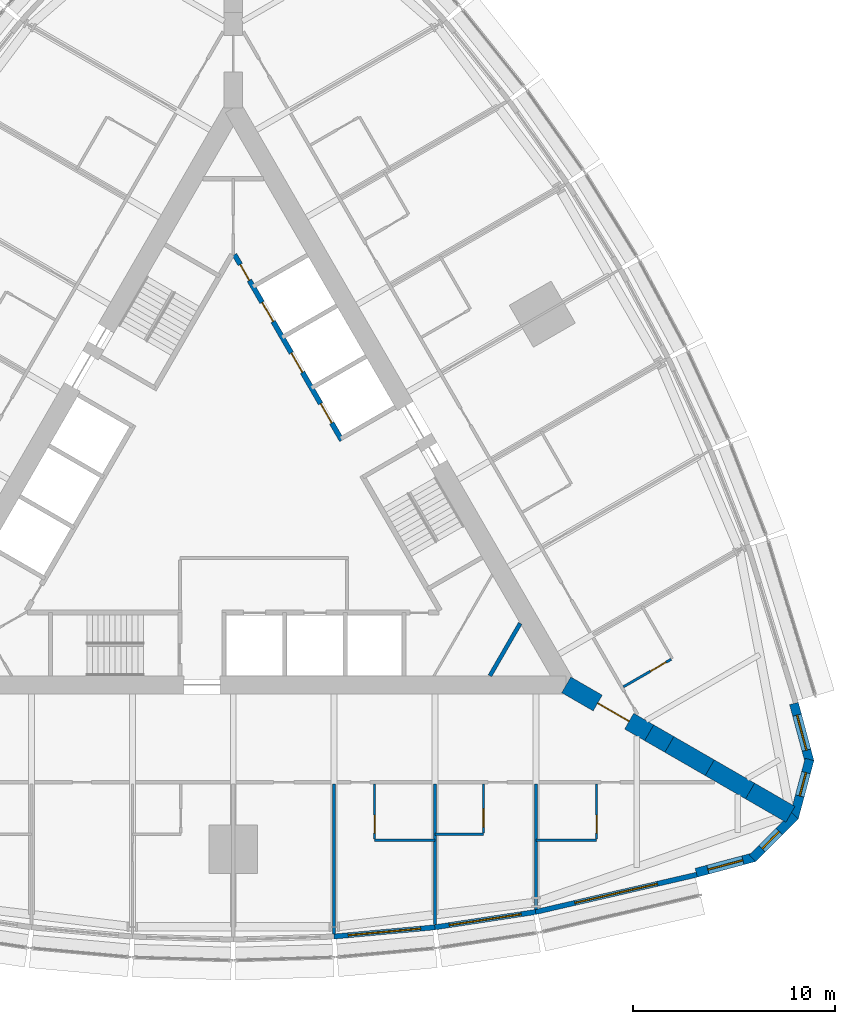
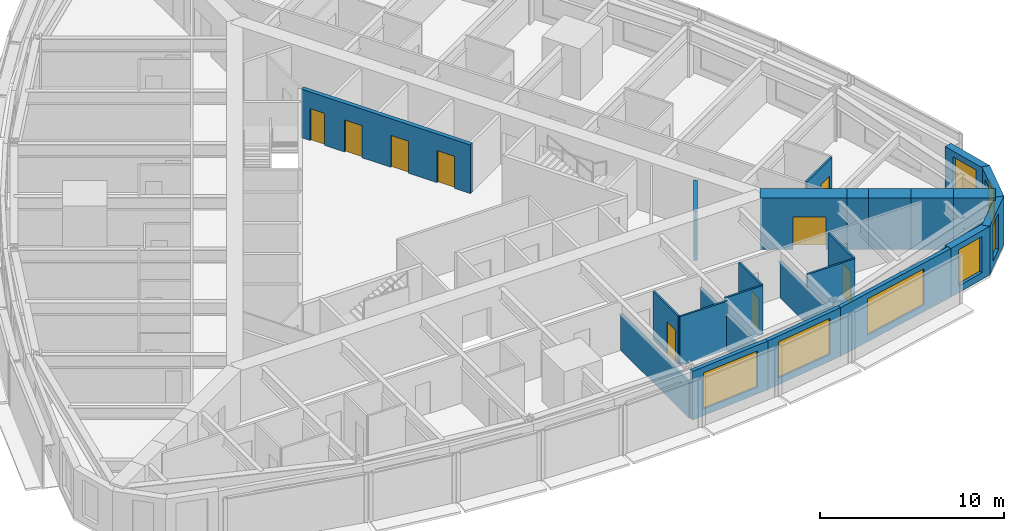
# One storey, part 10 of 14: 24 walls, 9 doors, 7 windows, 16 openings.
"""IFC4 building model written with IfcOpenShell, lengths in metres."""

from ifc_helpers import new_model, si_unit, direction, frame, frame_2d, origin, place, context, subcontext, project, spatial, polyline, rectangle, outline, extrude, material, layer, layer_set, type_object, element, fill, save


model = new_model("IFC4")

# Units and contexts
model_context = context("Model", 3, precision=1e-05, world=origin(), true_north=direction((0.0, 1.0)))
body_context = subcontext(model_context, "Body", "Model", "MODEL_VIEW")
ifc_project = project(units=[si_unit("LENGTHUNIT", "METRE"), si_unit("AREAUNIT", "SQUARE_METRE"), si_unit("VOLUMEUNIT", "CUBIC_METRE"), si_unit("PLANEANGLEUNIT", "RADIAN"), si_unit("MASSUNIT", "GRAM", prefix="KILO")], contexts=[model_context])

# Site, building, storey
site_placement = place(None, origin())
site = spatial("IfcSite", under=ifc_project, at=site_placement, CompositionType="ELEMENT")
building_placement = place(site_placement, origin())
building = spatial("IfcBuilding", under=site, at=building_placement, Name="Trikona Tower", CompositionType="ELEMENT")
storey_placement = place(building_placement, frame((0.0, 0.0, 72.699951171875)))
storey = spatial("IfcBuildingStorey", under=building, at=storey_placement, Name="L18", CompositionType="ELEMENT", Elevation=72.699951171875)

# Wall
ifc_material_1 = material(Name="Metal stud and cement board", Category="gypsum")
ifc_layer_1 = layer(ifc_material_1, 0.1201171875)
ifc_layer_set_1 = layer_set([ifc_layer_1], Name="Bathroom wall 120")
wall_type_1 = type_object("IfcWallType", Name="Bathroom wall 120", PredefinedType="PLUMBINGWALL", material=ifc_layer_set_1)
wall_1_placement = place(storey_placement, frame((7.0, -17.226318359375, 0.0), z_axis=(0.0, 0.0, 1.0), x_axis=(1.0, 0.0, 0.0)))
element("IfcWall", 1, at=wall_1_placement, inside=storey, type_object=wall_type_1, Name="Bathroom wall 1804", PredefinedType="PLUMBINGWALL", context=body_context, shape_type="SweptSolid", body=[
    extrude(rectangle(XDim=3.0, YDim=0.1201171875, at=frame_2d((1.5, 0.0))), origin(), (0.0, 0.0, 1.0), 3.235107421875),
])

# Wall, opening, door
wall_2_placement = place(storey_placement, frame((7.0, -14.42626953125, 0.0), z_axis=(0.0, 0.0, 1.0), x_axis=(0.0, -1.0, 0.0)))
wall_2 = element("IfcWall", 2, at=wall_2_placement, inside=storey, type_object=wall_type_1, Name="Bathroom wall 1804", PredefinedType="PLUMBINGWALL", context=body_context, shape_type="SweptSolid", body=[
    extrude(rectangle(XDim=2.739990234375, YDim=0.1201171875, at=frame_2d((1.3701171875, 0.0))), origin(), (0.0, 0.0, 1.0), 3.235107421875),
])
opening_1_placement = place(wall_2_placement, frame((1.550048828125, 0.0, 0.0)))
opening_1 = element("IfcOpeningElement", 3, at=opening_1_placement, cuts=wall_2, Name="Opening D2", PredefinedType="OPENING", context=body_context, shape_type="SweptSolid", body=[
    extrude(rectangle(XDim=0.89990234375, YDim=2.1298828125, at=frame_2d((0.449951171875, 1.06494140625))), frame((0.0, 0.070068359375, 0.0), z_axis=(0.0, -1.0, 0.0), x_axis=(1.0, 0.0, 0.0)), (0.0, 0.0, 1.0), 0.14013671875),
])
ifc_material_2 = material(Name="Steel door frame with solid-core timber leaf", Category="steel")
door_type_1 = type_object("IfcDoorType", Name="Bathroom door 900x2130", OperationType="SLIDING_TO_LEFT", PredefinedType="DOOR", material=ifc_material_2)
door_1_placement = place(opening_1_placement, origin())
door_1 = element("IfcDoor", 4, at=door_1_placement, inside=storey, type_object=door_type_1, Name="Bathroom door 1804", OperationType="SLIDING_TO_LEFT", OverallHeight=2.1298828125, OverallWidth=0.89990234375, PredefinedType="DOOR", context=body_context, shape_type="SweptSolid", body=[
    extrude(rectangle(XDim=0.89990234375, YDim=2.1298828125, at=frame_2d((0.449951171875, 1.06494140625))), frame((0.0, 0.02490234375, 0.0), z_axis=(0.0, -1.0, 0.0), x_axis=(1.0, 0.0, 0.0)), (0.0, 0.0, 1.0), 0.050048828125),
])
fill(opening_1, door_1)

# Wall
wall_3_placement = place(storey_placement, frame((10.0, -16.92626953125, 0.0), z_axis=(0.0, 0.0, 1.0), x_axis=(1.0, 0.0, 0.0)))
element("IfcWall", 5, at=wall_3_placement, inside=storey, type_object=wall_type_1, Name="Bathroom wall 1805", PredefinedType="PLUMBINGWALL", context=body_context, shape_type="SweptSolid", body=[
    extrude(rectangle(XDim=2.39990234375, YDim=0.1201171875, at=frame_2d((1.199951171875, 0.0))), origin(), (0.0, 0.0, 1.0), 3.235107421875),
])

# Wall, opening, door
wall_4_placement = place(storey_placement, frame((12.39990234375, -14.42626953125, 0.0), z_axis=(0.0, 0.0, 1.0), x_axis=(0.0, -1.0, 0.0)))
wall_4 = element("IfcWall", 6, at=wall_4_placement, inside=storey, type_object=wall_type_1, Name="Bathroom wall 1805", PredefinedType="PLUMBINGWALL", context=body_context, shape_type="SweptSolid", body=[
    extrude(rectangle(XDim=2.43994140625, YDim=0.1201171875, at=frame_2d((1.219970703125, 0.0))), origin(), (0.0, 0.0, 1.0), 3.235107421875),
])
opening_2_placement = place(wall_4_placement, frame((1.25, 0.0, 0.0)))
opening_2 = element("IfcOpeningElement", 7, at=opening_2_placement, cuts=wall_4, Name="Opening D2", PredefinedType="OPENING", context=body_context, shape_type="SweptSolid", body=[
    extrude(rectangle(XDim=0.89990234375, YDim=2.1298828125, at=frame_2d((0.449951171875, 1.06494140625))), frame((0.0, 0.070068359375, 0.0), z_axis=(0.0, -1.0, 0.0), x_axis=(1.0, 0.0, 0.0)), (0.0, 0.0, 1.0), 0.14013671875),
])
door_2_placement = place(opening_2_placement, origin())
door_2 = element("IfcDoor", 8, at=door_2_placement, inside=storey, type_object=door_type_1, Name="Bathroom door 1805", OperationType="SLIDING_TO_LEFT", OverallHeight=2.1298828125, OverallWidth=0.89990234375, PredefinedType="DOOR", context=body_context, shape_type="SweptSolid", body=[
    extrude(rectangle(XDim=0.89990234375, YDim=2.1298828125, at=frame_2d((0.449951171875, 1.06494140625))), frame((0.0, 0.02490234375, 0.0), z_axis=(0.0, -1.0, 0.0), x_axis=(1.0, 0.0, 0.0)), (0.0, 0.0, 1.0), 0.050048828125),
])
fill(opening_2, door_2)

# Wall
wall_5_placement = place(storey_placement, frame((15.0, -17.226318359375, 0.0), z_axis=(0.0, 0.0, 1.0), x_axis=(1.0, 0.0, 0.0)))
element("IfcWall", 9, at=wall_5_placement, inside=storey, type_object=wall_type_1, Name="Bathroom wall 1806", PredefinedType="PLUMBINGWALL", context=body_context, shape_type="SweptSolid", body=[
    extrude(rectangle(XDim=3.0, YDim=0.1201171875, at=frame_2d((1.5, 0.0))), origin(), (0.0, 0.0, 1.0), 3.235107421875),
])

# Wall, opening, door
wall_6_placement = place(storey_placement, frame((18.0, -14.42626953125, 0.0), z_axis=(0.0, 0.0, 1.0), x_axis=(0.0, -1.0, 0.0)))
wall_6 = element("IfcWall", 10, at=wall_6_placement, inside=storey, type_object=wall_type_1, Name="Bathroom wall 1806", PredefinedType="PLUMBINGWALL", context=body_context, shape_type="SweptSolid", body=[
    extrude(rectangle(XDim=2.739990234375, YDim=0.1201171875, at=frame_2d((1.3701171875, 0.0))), origin(), (0.0, 0.0, 1.0), 3.235107421875),
])
opening_3_placement = place(wall_6_placement, frame((1.550048828125, 0.0, 0.0)))
opening_3 = element("IfcOpeningElement", 11, at=opening_3_placement, cuts=wall_6, Name="Opening D2", PredefinedType="OPENING", context=body_context, shape_type="SweptSolid", body=[
    extrude(rectangle(XDim=0.89990234375, YDim=2.1298828125, at=frame_2d((0.449951171875, 1.06494140625))), frame((0.0, 0.070068359375, 0.0), z_axis=(0.0, -1.0, 0.0), x_axis=(1.0, 0.0, 0.0)), (0.0, 0.0, 1.0), 0.14013671875),
])
door_3_placement = place(opening_3_placement, origin())
door_3 = element("IfcDoor", 12, at=door_3_placement, inside=storey, type_object=door_type_1, Name="Bathroom door 1806", OperationType="SLIDING_TO_LEFT", OverallHeight=2.1298828125, OverallWidth=0.89990234375, PredefinedType="DOOR", context=body_context, shape_type="SweptSolid", body=[
    extrude(rectangle(XDim=0.89990234375, YDim=2.1298828125, at=frame_2d((0.449951171875, 1.06494140625))), frame((0.0, 0.02490234375, 0.0), z_axis=(0.0, -1.0, 0.0), x_axis=(1.0, 0.0, 0.0)), (0.0, 0.0, 1.0), 0.050048828125),
])
fill(opening_3, door_3)

wall_7_placement = place(storey_placement, frame((19.32861328125, -9.625244140625, 0.0), z_axis=(0.0, 0.0, 1.0), x_axis=(0.866035715982, 0.499982138324, 0.0)))
wall_7 = element("IfcWall", 13, at=wall_7_placement, inside=storey, type_object=wall_type_1, Name="Bathroom wall 1807", PredefinedType="PLUMBINGWALL", context=body_context, shape_type="SweptSolid", body=[
    extrude(rectangle(XDim=2.73974609375, YDim=0.1201171875, at=frame_2d((1.369873046875, 0.0))), origin(), (0.0, 0.0, 1.0), 3.235107421875),
])
opening_4_placement = place(wall_7_placement, frame((1.550048828125, 0.0, 0.0)))
opening_4 = element("IfcOpeningElement", 14, at=opening_4_placement, cuts=wall_7, Name="Opening D2", PredefinedType="OPENING", context=body_context, shape_type="SweptSolid", body=[
    extrude(rectangle(XDim=0.89990234375, YDim=2.1298828125, at=frame_2d((0.449951171875, 1.06494140625))), frame((0.0, 0.070068359375, 0.0), z_axis=(0.0, -1.0, 0.0), x_axis=(1.0, 0.0, 0.0)), (0.0, 0.0, 1.0), 0.14013671875),
])
door_4_placement = place(opening_4_placement, origin())
door_4 = element("IfcDoor", 15, at=door_4_placement, inside=storey, type_object=door_type_1, Name="Bathroom door 1807", OperationType="SLIDING_TO_LEFT", OverallHeight=2.1298828125, OverallWidth=0.89990234375, PredefinedType="DOOR", context=body_context, shape_type="SweptSolid", body=[
    extrude(rectangle(XDim=0.89990234375, YDim=2.1298828125, at=frame_2d((0.449951171875, 1.06494140625))), frame((0.0, 0.02490234375, 0.0), z_axis=(0.0, -1.0, 0.0), x_axis=(1.0, 0.0, 0.0)), (0.0, 0.0, 1.0), 0.050048828125),
])
fill(opening_4, door_4)

# Wall, opening, window
ifc_material_3 = material(Name="Brick-faced precast concrete", Category="masonry")
ifc_layer_2 = layer(ifc_material_3, 0.449951171875)
ifc_layer_set_2 = layer_set([ifc_layer_2], Name="Brick-faced corner wall 450")
wall_type_2 = type_object("IfcWallType", Name="Brick-faced corner wall 450", PredefinedType="SOLIDWALL", material=ifc_layer_set_2)
wall_8_placement = place(storey_placement, frame((22.94189453125, -18.835205078125, 0.0), z_axis=(0.0, 0.0, 1.0), x_axis=(0.965930548995, 0.258801419081, 0.0)))
wall_8 = element("IfcWall", 16, at=wall_8_placement, inside=storey, type_object=wall_type_2, Name="External wall L18-08", PredefinedType="SOLIDWALL", context=body_context, shape_type="SweptSolid", body=[
    extrude(rectangle(XDim=2.988525390625, YDim=0.449951171875, at=frame_2d((1.494140625, 0.0))), origin(), (0.0, 0.0, 1.0), 3.235107421875),
])
opening_5_placement = place(wall_8_placement, frame((0.59423828125, 0.0, 0.449951171875)))
opening_5 = element("IfcOpeningElement", 17, at=opening_5_placement, cuts=wall_8, Name="Opening W1824", PredefinedType="OPENING", context=body_context, shape_type="SweptSolid", body=[
    extrude(rectangle(XDim=1.800048828125, YDim=2.39990234375, at=frame_2d((0.89990234375, 1.199951171875))), frame((0.0, 0.23486328125, 0.0), z_axis=(0.0, -1.0, 0.0), x_axis=(1.0, 0.0, 0.0)), (0.0, 0.0, 1.0), 0.469970703125),
])
ifc_material_4 = material(Name="Aluminium-framed double glazing", Category="aluminium")
window_type_1 = type_object("IfcWindowType", Name="Window 1800x2400", PartitioningType="SINGLE_PANEL", PredefinedType="WINDOW", material=ifc_material_4)
window_1_placement = place(opening_5_placement, origin())
window_1 = element("IfcWindow", 18, at=window_1_placement, inside=storey, type_object=window_type_1, Name="Window 1806", OverallHeight=2.39990234375, OverallWidth=1.800048828125, PartitioningType="SINGLE_PANEL", PredefinedType="WINDOW", context=body_context, shape_type="SweptSolid", body=[
    extrude(rectangle(XDim=1.800048828125, YDim=2.39990234375, at=frame_2d((0.89990234375, 1.199951171875))), frame((0.0, 0.030029296875, 0.0), z_axis=(0.0, -1.0, 0.0), x_axis=(1.0, 0.0, 0.0)), (0.0, 0.0, 1.0), 0.06005859375),
])
fill(opening_5, window_1)

wall_9_placement = place(storey_placement, frame((25.727783203125, -18.1201171875, 0.0), z_axis=(0.0, 0.0, 1.0), x_axis=(0.707025086683, 0.707188466253, 0.0)))
wall_9 = element("IfcWall", 19, at=wall_9_placement, inside=storey, type_object=wall_type_2, Name="External wall L18-09", PredefinedType="SOLIDWALL", context=body_context, shape_type="SweptSolid", body=[
    extrude(outline(polyline([(2.988525390625, 0.22509765625), (2.929931640625, 0.22509765625), (2.4375, 0.093017578125), (2.402099609375, 0.22509765625), (0.0, 0.22509765625), (0.0, -0.22509765625), (2.988525390625, -0.22509765625), (2.988525390625, 0.22509765625)])), origin(), (0.0, 0.0, 1.0), 3.235107421875),
])
opening_6_placement = place(wall_9_placement, frame((0.676025390625, 0.0, 0.449951171875)))
opening_6 = element("IfcOpeningElement", 20, at=opening_6_placement, cuts=wall_9, Name="Opening W1224", PredefinedType="OPENING", context=body_context, shape_type="SweptSolid", body=[
    extrude(rectangle(XDim=1.199951171875, YDim=2.39990234375, at=frame_2d((0.60009765625, 1.199951171875))), frame((0.0, 0.23486328125, 0.0), z_axis=(0.0, -1.0, 0.0), x_axis=(1.0, 0.0, 0.0)), (0.0, 0.0, 1.0), 0.469970703125),
])
ifc_material_5 = material(Name="Aluminium-framed double glazing", Category="aluminium")
window_type_2 = type_object("IfcWindowType", Name="Window 1200x2400", PartitioningType="SINGLE_PANEL", PredefinedType="WINDOW", material=ifc_material_5)
window_2_placement = place(opening_6_placement, origin())
window_2 = element("IfcWindow", 21, at=window_2_placement, inside=storey, type_object=window_type_2, Name="Window 1806", OverallHeight=2.39990234375, OverallWidth=1.199951171875, PartitioningType="SINGLE_PANEL", PredefinedType="WINDOW", context=body_context, shape_type="SweptSolid", body=[
    extrude(rectangle(XDim=1.199951171875, YDim=2.39990234375, at=frame_2d((0.60009765625, 1.199951171875))), frame((0.0, 0.030029296875, 0.0), z_axis=(0.0, -1.0, 0.0), x_axis=(1.0, 0.0, 0.0)), (0.0, 0.0, 1.0), 0.06005859375),
])
fill(opening_6, window_2)

wall_10_placement = place(storey_placement, frame((27.78271484375, -16.107666015625, 0.0), z_axis=(0.0, 0.0, 1.0), x_axis=(0.258801419081, 0.965930548995, 0.0)))
wall_10 = element("IfcWall", 22, at=wall_10_placement, inside=storey, type_object=wall_type_2, Name="External wall L18-10", PredefinedType="SOLIDWALL", context=body_context, shape_type="SweptSolid", body=[
    extrude(outline(polyline([(2.988525390625, 0.22509765625), (0.58642578125, 0.22509765625), (0.55126953125, 0.09326171875), (0.0595703125, 0.22509765625), (0.0, 0.22509765625), (0.0, -0.22509765625), (2.988525390625, -0.22509765625), (2.988525390625, 0.22509765625)])), origin(), (0.0, 0.0, 1.0), 3.235107421875),
])
opening_7_placement = place(wall_10_placement, frame((1.112548828125, 0.0, 0.449951171875)))
opening_7 = element("IfcOpeningElement", 23, at=opening_7_placement, cuts=wall_10, Name="Opening W1224", PredefinedType="OPENING", context=body_context, shape_type="SweptSolid", body=[
    extrude(rectangle(XDim=1.199951171875, YDim=2.39990234375, at=frame_2d((0.60009765625, 1.199951171875))), frame((0.0, 0.23486328125, 0.0), z_axis=(0.0, -1.0, 0.0), x_axis=(1.0, 0.0, 0.0)), (0.0, 0.0, 1.0), 0.469970703125),
])
window_3_placement = place(opening_7_placement, origin())
window_3 = element("IfcWindow", 24, at=window_3_placement, inside=storey, type_object=window_type_2, Name="Window 1807", OverallHeight=2.39990234375, OverallWidth=1.199951171875, PartitioningType="SINGLE_PANEL", PredefinedType="WINDOW", context=body_context, shape_type="SweptSolid", body=[
    extrude(rectangle(XDim=1.199951171875, YDim=2.39990234375, at=frame_2d((0.60009765625, 1.199951171875))), frame((0.0, 0.030029296875, 0.0), z_axis=(0.0, -1.0, 0.0), x_axis=(1.0, 0.0, 0.0)), (0.0, 0.0, 1.0), 0.06005859375),
])
fill(opening_7, window_3)

wall_11_placement = place(storey_placement, frame((28.55615234375, -13.33740234375, 0.0), z_axis=(0.0, 0.0, 1.0), x_axis=(-0.258780998834, 0.965936019953, 0.0)))
wall_11 = element("IfcWall", 25, at=wall_11_placement, inside=storey, type_object=wall_type_2, Name="External wall L18-11", PredefinedType="SOLIDWALL", context=body_context, shape_type="SweptSolid", body=[
    extrude(rectangle(XDim=2.98876953125, YDim=0.449951171875, at=frame_2d((1.494384765625, 0.0))), origin(), (0.0, 0.0, 1.0), 3.235107421875),
])
opening_8_placement = place(wall_11_placement, frame((0.59423828125, 0.0, 0.449951171875)))
opening_8 = element("IfcOpeningElement", 26, at=opening_8_placement, cuts=wall_11, Name="Opening W1824", PredefinedType="OPENING", context=body_context, shape_type="SweptSolid", body=[
    extrude(rectangle(XDim=1.800048828125, YDim=2.39990234375, at=frame_2d((0.89990234375, 1.199951171875))), frame((0.0, 0.23486328125, 0.0), z_axis=(0.0, -1.0, 0.0), x_axis=(1.0, 0.0, 0.0)), (0.0, 0.0, 1.0), 0.469970703125),
])
window_4_placement = place(opening_8_placement, origin())
window_4 = element("IfcWindow", 27, at=window_4_placement, inside=storey, type_object=window_type_1, Name="Window 1807", OverallHeight=2.39990234375, OverallWidth=1.800048828125, PartitioningType="SINGLE_PANEL", PredefinedType="WINDOW", context=body_context, shape_type="SweptSolid", body=[
    extrude(rectangle(XDim=1.800048828125, YDim=2.39990234375, at=frame_2d((0.89990234375, 1.199951171875))), frame((0.0, 0.030029296875, 0.0), z_axis=(0.0, -1.0, 0.0), x_axis=(1.0, 0.0, 0.0)), (0.0, 0.0, 1.0), 0.06005859375),
])
fill(opening_8, window_4)

# Wall, opening, door
ifc_material_6 = material(Name="Concrete f'c 10000 psi", Category="concrete")
ifc_layer_3 = layer(ifc_material_6, 0.89990234375)
ifc_layer_set_3 = layer_set([ifc_layer_3], Name="Buttress wall 900")
wall_type_3 = type_object("IfcWallType", Name="Buttress wall 900", PredefinedType="SHEAR", material=ifc_layer_set_3)
wall_12_placement = place(storey_placement, frame((16.5, -9.5263671875, 0.0), z_axis=(0.0, 0.0, 1.0), x_axis=(0.866031398331, -0.499989616998, 0.0)))
wall_12 = element("IfcWall", 28, at=wall_12_placement, inside=storey, type_object=wall_type_3, Name="Buttress wall 1", PredefinedType="SHEAR", context=body_context, shape_type="SweptSolid", body=[
    extrude(rectangle(XDim=4.74609375, YDim=0.89990234375, at=frame_2d((2.373046875, 0.0))), origin(), (0.0, 0.0, 1.0), 3.400146484375),
])
opening_9_placement = place(wall_12_placement, frame((1.800048828125, 0.0, 0.0)))
opening_9 = element("IfcOpeningElement", 29, at=opening_9_placement, cuts=wall_12, Name="Opening D10", PredefinedType="OPENING", context=body_context, shape_type="SweptSolid", body=[
    extrude(rectangle(XDim=1.800048828125, YDim=2.1298828125, at=frame_2d((0.89990234375, 1.06494140625))), frame((0.0, 0.4599609375, 0.0), z_axis=(0.0, -1.0, 0.0), x_axis=(1.0, 0.0, 0.0)), (0.0, 0.0, 1.0), 0.919921875),
])
ifc_material_7 = material(Name="Hollow metal door and frame", Category="steel")
door_type_2 = type_object("IfcDoorType", Name="Cross-corridor door pair 1800x2130", OperationType="DOUBLE_DOOR_DOUBLE_SWING", PredefinedType="DOOR", material=ifc_material_7)
door_5_placement = place(opening_9_placement, origin())
door_5 = element("IfcDoor", 30, at=door_5_placement, inside=storey, type_object=door_type_2, Name="Cross-corridor door 1", OperationType="DOUBLE_DOOR_DOUBLE_SWING", OverallHeight=2.1298828125, OverallWidth=1.800048828125, PredefinedType="DOOR", context=body_context, shape_type="SweptSolid", body=[
    extrude(rectangle(XDim=1.800048828125, YDim=2.1298828125, at=frame_2d((0.89990234375, 1.06494140625))), frame((0.0, 0.02490234375, 0.0), z_axis=(0.0, -1.0, 0.0), x_axis=(1.0, 0.0, 0.0)), (0.0, 0.0, 1.0), 0.050048828125),
])
fill(opening_9, door_5)

# Walls
wall_13_placement = place(storey_placement, frame((20.6103515625, -11.8994140625, 0.0), z_axis=(0.0, 0.0, 1.0), x_axis=(0.866009537788, -0.500027479704, 0.0)))
element("IfcWall", 31, at=wall_13_placement, inside=storey, type_object=wall_type_3, Name="Buttress wall 1 part 2", PredefinedType="SHEAR", context=body_context, shape_type="SweptSolid", body=[
    extrude(rectangle(XDim=1.15478515625, YDim=0.89990234375, at=frame_2d((0.577392578125, 0.0))), origin(), (0.0, 0.0, 1.0), 3.400146484375),
])
for number, where, z_axis, x_axis, name in (
    (32, (21.6103515625, -12.476806640625, 0.0), (0.0, 0.0, 1.0), (0.866055313784, -0.499948190782, 0.0), "Buttress wall 1 part 3"),
    (33, (23.6103515625, -13.63134765625, 0.0), (0.0, 0.0, 1.0), (0.866009537788, -0.500027479704, 0.0), "Buttress wall 1 part 4"),
    (34, (25.6103515625, -14.7861328125, 0.0), (0.0, 0.0, 1.0), (0.866009537788, -0.500027479704, 0.0), "Buttress wall 1 part 5"),
):
    element("IfcWall", number, at=place(storey_placement, frame(where, z_axis=z_axis, x_axis=x_axis)), inside=storey, type_object=wall_type_3, Name=name, PredefinedType="SHEAR", context=body_context, shape_type="SweptSolid", body=[
        extrude(rectangle(XDim=2.309326171875, YDim=0.89990234375, at=frame_2d((1.15478515625, 0.0))), origin(), (0.0, 0.0, 1.0), 3.400146484375),
    ])

# Wall, openings, doors
ifc_material_8 = material(Name="Concrete f'c 8000 psi", Category="concrete")
ifc_layer_4 = layer(ifc_material_8, 0.25)
ifc_layer_set_4 = layer_set([ifc_layer_4], Name="Hub wall 250")
wall_type_4 = type_object("IfcWallType", Name="Hub wall 250", PredefinedType="SOLIDWALL", material=ifc_layer_set_4)
wall_14_placement = place(storey_placement, frame((5.37890625, 2.5859375, 0.0), z_axis=(0.0, 0.0, 1.0), x_axis=(-0.500001375892, 0.866024609411, 0.0)))
wall_14 = element("IfcWall", 35, at=wall_14_placement, inside=storey, type_object=wall_type_4, Name="Lift lobby wall B2", PredefinedType="SOLIDWALL", context=body_context, shape_type="SweptSolid", body=[
    extrude(rectangle(XDim=10.6328125, YDim=0.25, at=frame_2d((5.31640625, 0.0))), origin(), (0.0, 0.0, 1.0), 3.235107421875),
])
opening_10_placement = place(wall_14_placement, frame((9.1640625, 0.0, 0.0)))
opening_10 = element("IfcOpeningElement", 36, at=opening_10_placement, cuts=wall_14, Name="Opening D14", PredefinedType="OPENING", context=body_context, shape_type="SweptSolid", body=[
    extrude(rectangle(XDim=0.89990234375, YDim=2.1298828125, at=frame_2d((0.449951171875, 1.06494140625))), frame((0.0, 0.135009765625, 0.0), z_axis=(0.0, -1.0, 0.0), x_axis=(1.0, 0.0, 0.0)), (0.0, 0.0, 1.0), 0.27001953125),
])
opening_11_placement = place(wall_14_placement, frame((1.0, 0.0, 0.0)))
opening_11 = element("IfcOpeningElement", 37, at=opening_11_placement, cuts=wall_14, Name="Opening LD", PredefinedType="OPENING", context=body_context, shape_type="SweptSolid", body=[
    extrude(rectangle(XDim=1.10009765625, YDim=2.1298828125, at=frame_2d((0.550048828125, 1.06494140625))), frame((0.0, 0.135009765625, 0.0), z_axis=(0.0, -1.0, 0.0), x_axis=(1.0, 0.0, 0.0)), (0.0, 0.0, 1.0), 0.27001953125),
])
opening_12_placement = place(wall_14_placement, frame((3.89990234375, 0.0, 0.0)))
opening_12 = element("IfcOpeningElement", 38, at=opening_12_placement, cuts=wall_14, Name="Opening LD", PredefinedType="OPENING", context=body_context, shape_type="SweptSolid", body=[
    extrude(rectangle(XDim=1.10009765625, YDim=2.1298828125, at=frame_2d((0.550048828125, 1.06494140625))), frame((0.0, 0.135009765625, 0.0), z_axis=(0.0, -1.0, 0.0), x_axis=(1.0, 0.0, 0.0)), (0.0, 0.0, 1.0), 0.27001953125),
])
opening_13_placement = place(wall_14_placement, frame((6.800048828125, 0.0, 0.0)))
opening_13 = element("IfcOpeningElement", 39, at=opening_13_placement, cuts=wall_14, Name="Opening LD", PredefinedType="OPENING", context=body_context, shape_type="SweptSolid", body=[
    extrude(rectangle(XDim=1.10009765625, YDim=2.1298828125, at=frame_2d((0.550048828125, 1.06494140625))), frame((0.0, 0.135009765625, 0.0), z_axis=(0.0, -1.0, 0.0), x_axis=(1.0, 0.0, 0.0)), (0.0, 0.0, 1.0), 0.27001953125),
])
ifc_material_9 = material(Name="Stainless steel lift landing door", Category="steel")
door_type_3 = type_object("IfcDoorType", Name="Lift landing door 1100x2130", OperationType="DOUBLE_DOOR_SLIDING", PredefinedType="USERDEFINED", material=ifc_material_9)
door_6_placement = place(opening_11_placement, origin())
door_6 = element("IfcDoor", 40, at=door_6_placement, inside=storey, type_object=door_type_3, Name="Lift landing door L1-1", ObjectType="LIFT LANDING DOOR", OperationType="DOUBLE_DOOR_SLIDING", OverallHeight=2.1298828125, OverallWidth=1.10009765625, PredefinedType="USERDEFINED", context=body_context, shape_type="SweptSolid", body=[
    extrude(rectangle(XDim=1.10009765625, YDim=2.1298828125, at=frame_2d((0.550048828125, 1.06494140625))), frame((0.0, 0.02490234375, 0.0), z_axis=(0.0, -1.0, 0.0), x_axis=(1.0, 0.0, 0.0)), (0.0, 0.0, 1.0), 0.050048828125),
])
fill(opening_11, door_6)
door_7_placement = place(opening_12_placement, origin())
door_7 = element("IfcDoor", 41, at=door_7_placement, inside=storey, type_object=door_type_3, Name="Lift landing door L1-2", ObjectType="LIFT LANDING DOOR", OperationType="DOUBLE_DOOR_SLIDING", OverallHeight=2.1298828125, OverallWidth=1.10009765625, PredefinedType="USERDEFINED", context=body_context, shape_type="SweptSolid", body=[
    extrude(rectangle(XDim=1.10009765625, YDim=2.1298828125, at=frame_2d((0.550048828125, 1.06494140625))), frame((0.0, 0.02490234375, 0.0), z_axis=(0.0, -1.0, 0.0), x_axis=(1.0, 0.0, 0.0)), (0.0, 0.0, 1.0), 0.050048828125),
])
fill(opening_12, door_7)
door_8_placement = place(opening_13_placement, origin())
door_8 = element("IfcDoor", 42, at=door_8_placement, inside=storey, type_object=door_type_3, Name="Lift landing door L1-3", ObjectType="LIFT LANDING DOOR", OperationType="DOUBLE_DOOR_SLIDING", OverallHeight=2.1298828125, OverallWidth=1.10009765625, PredefinedType="USERDEFINED", context=body_context, shape_type="SweptSolid", body=[
    extrude(rectangle(XDim=1.10009765625, YDim=2.1298828125, at=frame_2d((0.550048828125, 1.06494140625))), frame((0.0, 0.02490234375, 0.0), z_axis=(0.0, -1.0, 0.0), x_axis=(1.0, 0.0, 0.0)), (0.0, 0.0, 1.0), 0.050048828125),
])
fill(opening_13, door_8)
ifc_material_10 = material(Name="Hollow metal door and frame", Category="steel")
door_type_4 = type_object("IfcDoorType", Name="Service room door 900x2130", OperationType="SINGLE_SWING_LEFT", PredefinedType="DOOR", material=ifc_material_10)
door_9_placement = place(opening_10_placement, origin())
door_9 = element("IfcDoor", 43, at=door_9_placement, inside=storey, type_object=door_type_4, Name="Door Housekeeping store HKS", OperationType="SINGLE_SWING_RIGHT", OverallHeight=2.1298828125, OverallWidth=0.89990234375, PredefinedType="DOOR", context=body_context, shape_type="SweptSolid", body=[
    extrude(rectangle(XDim=0.89990234375, YDim=2.1298828125, at=frame_2d((0.449951171875, 1.06494140625))), frame((0.0, 0.02490234375, 0.0), z_axis=(0.0, -1.0, 0.0), x_axis=(1.0, 0.0, 0.0)), (0.0, 0.0, 1.0), 0.050048828125),
])
fill(opening_10, door_9)

# Wall, opening, window
ifc_material_11 = material(Name="Insulated precast concrete spandrel panel", Category="concrete")
ifc_layer_5 = layer(ifc_material_11, 0.25)
ifc_layer_set_5 = layer_set([ifc_layer_5], Name="Inner skin wall 250")
wall_type_5 = type_object("IfcWallType", Name="Inner skin wall 250", PredefinedType="STANDARD", material=ifc_layer_set_5)
wall_15_placement = place(storey_placement, frame((4.988525390625, -21.995849609375, 0.0), z_axis=(0.0, 0.0, 1.0), x_axis=(0.995857256774, 0.090930325692, 0.0)))
wall_15 = element("IfcWall", 44, at=wall_15_placement, inside=storey, type_object=wall_type_5, Name="External wall L18-05", PredefinedType="STANDARD", context=body_context, shape_type="SweptSolid", body=[
    extrude(rectangle(XDim=5.020751953125, YDim=0.25, at=frame_2d((2.51025390625, 0.0))), origin(), (0.0, 0.0, 1.0), 3.235107421875),
])
opening_14_placement = place(wall_15_placement, frame((0.71044921875, 0.0, 0.449951171875)))
opening_14 = element("IfcOpeningElement", 45, at=opening_14_placement, cuts=wall_15, Name="Opening W3624", PredefinedType="OPENING", context=body_context, shape_type="SweptSolid", body=[
    extrude(rectangle(XDim=3.60009765625, YDim=2.39990234375, at=frame_2d((1.800048828125, 1.199951171875))), frame((0.0, 0.135009765625, 0.0), z_axis=(0.0, -1.0, 0.0), x_axis=(1.0, 0.0, 0.0)), (0.0, 0.0, 1.0), 0.27001953125),
])
ifc_material_12 = material(Name="Aluminium-framed double glazing", Category="aluminium")
window_type_3 = type_object("IfcWindowType", Name="Window 3600x2400", PartitioningType="SINGLE_PANEL", PredefinedType="WINDOW", material=ifc_material_12)
window_5_placement = place(opening_14_placement, origin())
window_5 = element("IfcWindow", 46, at=window_5_placement, inside=storey, type_object=window_type_3, Name="Window 1804", OverallHeight=2.39990234375, OverallWidth=3.60009765625, PartitioningType="SINGLE_PANEL", PredefinedType="WINDOW", context=body_context, shape_type="SweptSolid", body=[
    extrude(rectangle(XDim=3.60009765625, YDim=2.39990234375, at=frame_2d((1.800048828125, 1.199951171875))), frame((0.0, 0.030029296875, 0.0), z_axis=(0.0, -1.0, 0.0), x_axis=(1.0, 0.0, 0.0)), (0.0, 0.0, 1.0), 0.06005859375),
])
fill(opening_14, window_5)

wall_16_placement = place(storey_placement, frame((9.981201171875, -21.540283203125, 0.0), z_axis=(0.0, 0.0, 1.0), x_axis=(0.988615403399, 0.150464561152, 0.0)))
wall_16 = element("IfcWall", 47, at=wall_16_placement, inside=storey, type_object=wall_type_5, Name="External wall L18-06", PredefinedType="STANDARD", context=body_context, shape_type="SweptSolid", body=[
    extrude(rectangle(XDim=5.0576171875, YDim=0.25, at=frame_2d((2.52880859375, 0.0))), origin(), (0.0, 0.0, 1.0), 3.235107421875),
])
opening_15_placement = place(wall_16_placement, frame((0.728759765625, 0.0, 0.449951171875)))
opening_15 = element("IfcOpeningElement", 48, at=opening_15_placement, cuts=wall_16, Name="Opening W3624", PredefinedType="OPENING", context=body_context, shape_type="SweptSolid", body=[
    extrude(rectangle(XDim=3.60009765625, YDim=2.39990234375, at=frame_2d((1.800048828125, 1.199951171875))), frame((0.0, 0.135009765625, 0.0), z_axis=(0.0, -1.0, 0.0), x_axis=(1.0, 0.0, 0.0)), (0.0, 0.0, 1.0), 0.27001953125),
])
window_6_placement = place(opening_15_placement, origin())
window_6 = element("IfcWindow", 49, at=window_6_placement, inside=storey, type_object=window_type_3, Name="Window 1805", OverallHeight=2.39990234375, OverallWidth=3.60009765625, PartitioningType="SINGLE_PANEL", PredefinedType="WINDOW", context=body_context, shape_type="SweptSolid", body=[
    extrude(rectangle(XDim=3.60009765625, YDim=2.39990234375, at=frame_2d((1.800048828125, 1.199951171875))), frame((0.0, 0.030029296875, 0.0), z_axis=(0.0, -1.0, 0.0), x_axis=(1.0, 0.0, 0.0)), (0.0, 0.0, 1.0), 0.06005859375),
])
fill(opening_15, window_6)

wall_17_placement = place(storey_placement, frame((14.9716796875, -20.78125, 0.0), z_axis=(0.0, 0.0, 1.0), x_axis=(0.974279327392, 0.225343720163, 0.0)))
wall_17 = element("IfcWall", 50, at=wall_17_placement, inside=storey, type_object=wall_type_5, Name="External wall L18-07", PredefinedType="STANDARD", context=body_context, shape_type="SweptSolid", body=[
    extrude(rectangle(XDim=8.211181640625, YDim=0.25, at=frame_2d((4.10546875, 0.0))), origin(), (0.0, 0.0, 1.0), 3.235107421875),
])
opening_16_placement = place(wall_17_placement, frame((2.005615234375, 0.0, 0.449951171875)))
opening_16 = element("IfcOpeningElement", 51, at=opening_16_placement, cuts=wall_17, Name="Opening W4224", PredefinedType="OPENING", context=body_context, shape_type="SweptSolid", body=[
    extrude(rectangle(XDim=4.199951171875, YDim=2.39990234375, at=frame_2d((2.10009765625, 1.199951171875))), frame((0.0, 0.135009765625, 0.0), z_axis=(0.0, -1.0, 0.0), x_axis=(1.0, 0.0, 0.0)), (0.0, 0.0, 1.0), 0.27001953125),
])
ifc_material_13 = material(Name="Aluminium-framed double glazing", Category="aluminium")
window_type_4 = type_object("IfcWindowType", Name="Window 4200x2400", PartitioningType="SINGLE_PANEL", PredefinedType="WINDOW", material=ifc_material_13)
window_7_placement = place(opening_16_placement, origin())
window_7 = element("IfcWindow", 52, at=window_7_placement, inside=storey, type_object=window_type_4, Name="Window 1806", OverallHeight=2.39990234375, OverallWidth=4.199951171875, PartitioningType="SINGLE_PANEL", PredefinedType="WINDOW", context=body_context, shape_type="SweptSolid", body=[
    extrude(rectangle(XDim=4.199951171875, YDim=2.39990234375, at=frame_2d((2.10009765625, 1.199951171875))), frame((0.0, 0.030029296875, 0.0), z_axis=(0.0, -1.0, 0.0), x_axis=(1.0, 0.0, 0.0)), (0.0, 0.0, 1.0), 0.06005859375),
])
fill(opening_16, window_7)

# Walls
ifc_material_14 = material(Name="Metal stud and gypsum board, 1-hour acoustic", Category="gypsum")
ifc_layer_6 = layer(ifc_material_14, 0.14990234375)
ifc_layer_set_6 = layer_set([ifc_layer_6], Name="Party wall 150")
wall_type_6 = type_object("IfcWallType", Name="Party wall 150", PredefinedType="PARTITIONING", material=ifc_layer_set_6)
wall_18_placement = place(storey_placement, frame((5.0, -14.42626953125, 0.0), z_axis=(0.0, 0.0, 1.0), x_axis=(0.0, -1.0, 0.0)))
element("IfcWall", 53, at=wall_18_placement, inside=storey, type_object=wall_type_6, Name="Partition L18 F1 u5", PredefinedType="PARTITIONING", context=body_context, shape_type="SweptSolid", body=[
    extrude(rectangle(XDim=7.443115234375, YDim=0.14990234375, at=frame_2d((3.7216796875, 0.0))), origin(), (0.0, 0.0, 1.0), 2.38916015625),
])
wall_19_placement = place(storey_placement, frame((10.0, -14.42626953125, 0.0), z_axis=(0.0, 0.0, 1.0), x_axis=(0.0, -1.0, 0.0)))
element("IfcWall", 54, at=wall_19_placement, inside=storey, type_object=wall_type_6, Name="Partition L18 F1 u10", PredefinedType="PARTITIONING", context=body_context, shape_type="SweptSolid", body=[
    extrude(rectangle(XDim=6.984619140625, YDim=0.14990234375, at=frame_2d((3.4921875, 0.0))), origin(), (0.0, 0.0, 1.0), 2.38916015625),
])
wall_20_placement = place(storey_placement, frame((15.0, -14.42626953125, 0.0), z_axis=(0.0, 0.0, 1.0), x_axis=(0.0, -1.0, 0.0)))
element("IfcWall", 55, at=wall_20_placement, inside=storey, type_object=wall_type_6, Name="Partition L18 F1 u15", PredefinedType="PARTITIONING", context=body_context, shape_type="SweptSolid", body=[
    extrude(rectangle(XDim=6.22021484375, YDim=0.14990234375, at=frame_2d((3.110107421875, 0.0))), origin(), (0.0, 0.0, 1.0), 2.38916015625),
])
ifc_material_15 = material(Name="Concrete f'c 8000 psi", Category="concrete")
ifc_layer_7 = layer(ifc_material_15, 0.199951171875)
ifc_layer_set_7 = layer_set([ifc_layer_7], Name="Shaft wall 200")
wall_type_7 = type_object("IfcWallType", Name="Shaft wall 200", PredefinedType="SOLIDWALL", material=ifc_layer_set_7)
wall_21_placement = place(storey_placement, frame((14.219482421875, -6.476318359375, 0.0), z_axis=(0.0, 0.0, 1.0), x_axis=(-0.499952404951, -0.866052881055, 0.0)))
element("IfcWall", 56, at=wall_21_placement, inside=storey, type_object=wall_type_7, Name="Riser wall L18-RS1", PredefinedType="SOLIDWALL", context=body_context, shape_type="SweptSolid", body=[
    extrude(rectangle(XDim=3.002197265625, YDim=0.199951171875, at=frame_2d((1.5009765625, 0.0))), origin(), (0.0, 0.0, 1.0), 3.235107421875),
])

save(model, "model.ifc")
